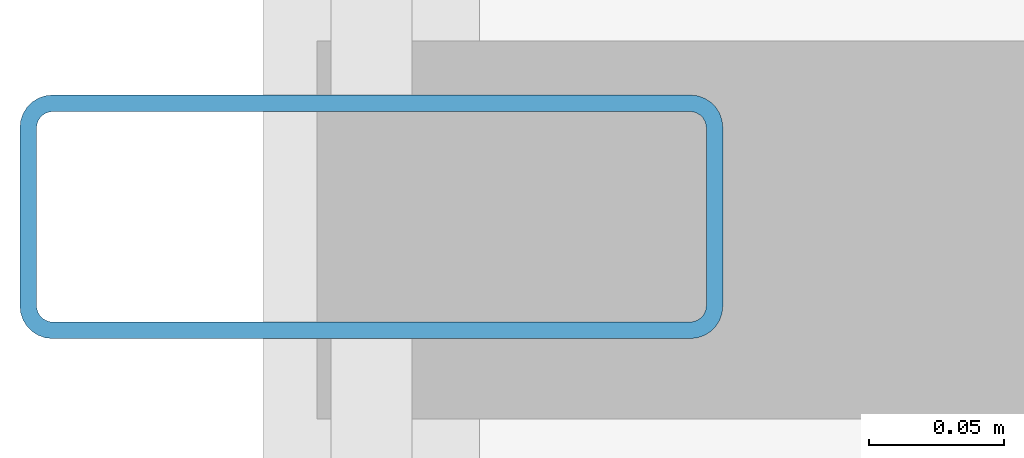
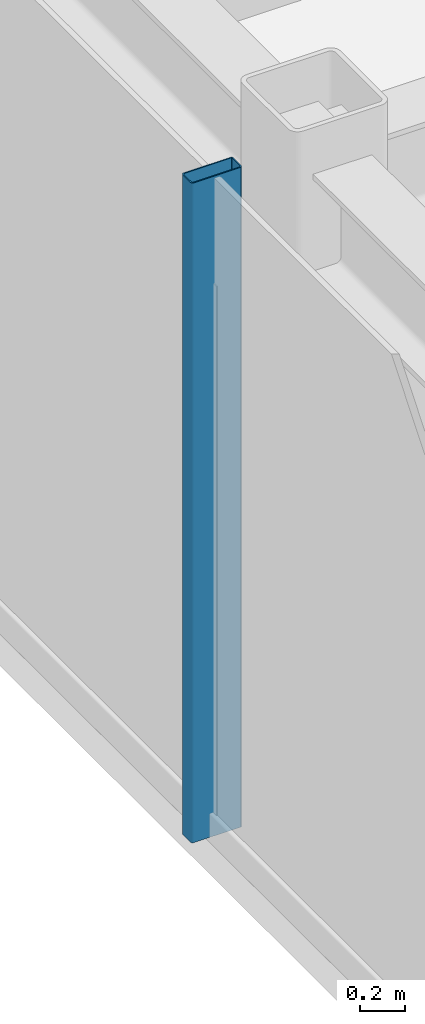
# One storey, part 4 of 18: 1 member, 1 element without a shape of its own.
"""IFC4 building model written with IfcOpenShell, lengths in metres."""

from ifc_helpers import new_model, si_unit, direction, frame, origin, origin_2d, place, context, subcontext, project, spatial, hollow_rectangle, extrude, source, transform, mapped, material, layer, layer_set, material_profile, profile_set, type_object, element, aggregate, save


model = new_model("IFC4")

# Units and contexts
model_context = context("Model", 3, precision=1e-05, world=origin(), true_north=direction((0.0, 1.0)))
body_context = subcontext(model_context, "Body", "Model", "MODEL_VIEW")
ifc_project = project(units=[si_unit("LENGTHUNIT", "METRE"), si_unit("AREAUNIT", "SQUARE_METRE"), si_unit("VOLUMEUNIT", "CUBIC_METRE"), si_unit("PLANEANGLEUNIT", "RADIAN"), si_unit("MASSUNIT", "GRAM", prefix="KILO")], contexts=[model_context])

# Site, building, storey
site_placement = place(None, origin())
site = spatial("IfcSite", under=ifc_project, at=site_placement, CompositionType="ELEMENT")
building_placement = place(site_placement, origin())
building = spatial("IfcBuilding", under=site, at=building_placement, Name="Nefas-Gora Pilgrimage Tower", CompositionType="ELEMENT")
storey_placement = place(building_placement, frame((0.0, 0.0, 302.60009765625)))
storey = spatial("IfcBuildingStorey", under=building, at=storey_placement, Name="L76", CompositionType="ELEMENT", Elevation=302.60009765625)

# Curtain wall, member
ifc_material_1 = material(Name="Dark ceramic-fritted solar-control aluminium-glass curtain wall", Category="aluminium")
ifc_layer = layer(ifc_material_1, 0.219970703125)
ifc_layer_set = layer_set([ifc_layer], Name="Dark ceramic-fritted solar-control aluminium-glass curtain wall")
curtain_wall_type = type_object("IfcCurtainWallType", Name="CW-SYS-4", PredefinedType="NOTDEFINED", material=ifc_layer_set)
curtain_wall_placement = place(storey_placement, origin())
curtain_wall = element("IfcCurtainWall", 1, at=curtain_wall_placement, inside=storey, type_object=curtain_wall_type, Name="L76 Unitised Curtain Wall CW4", PredefinedType="NOTDEFINED")
ifc_material_2 = material(Name="Anodised architectural aluminium", Category="aluminium")
ifc_material_profile = material_profile(ifc_material_2, hollow_rectangle(XDim=0.090087890625, YDim=0.260009765625, WallThickness=0.006103515625, InnerFilletRadius=0.006103515625, OuterFilletRadius=0.011962890625, at=origin_2d()), Name="ALU MULLION 90x260")
ifc_profile_set = profile_set([ifc_material_profile], Name="Anodised architectural aluminium")
member_type = type_object("IfcMemberType", Name="CWM-MUL-4", PredefinedType="MULLION", material=ifc_profile_set)
shared_shape = source(origin(), body_context, "Body", "SweptSolid", [
    extrude(hollow_rectangle(XDim=0.090087890625, YDim=0.260009765625, WallThickness=0.006103515625, InnerFilletRadius=0.006103515625, OuterFilletRadius=0.011962890625, at=origin_2d()), origin(), (0.0, 0.0, 1.0), 3.5498046875),
])
member_placement = place(storey_placement, frame((-25.27001953125, 0.0, 0.0), z_axis=(0.0, 0.0, 1.0), x_axis=(0.0, -1.0, 0.0)))
member = element("IfcMember", 2, at=member_placement, type_object=member_type, Name="CW4 Mullion 2", PredefinedType="MULLION", context=body_context, shape_type="MappedRepresentation", body=[
    mapped(shared_shape, transform((0.0, 0.0, 0.0), x_axis=(1.0, 0.0, 0.0), y_axis=(0.0, 1.0, 0.0), z_axis=(0.0, 0.0, 1.0), scale=1.0)),
])
aggregate(curtain_wall, [member])

save(model, "model.ifc")
